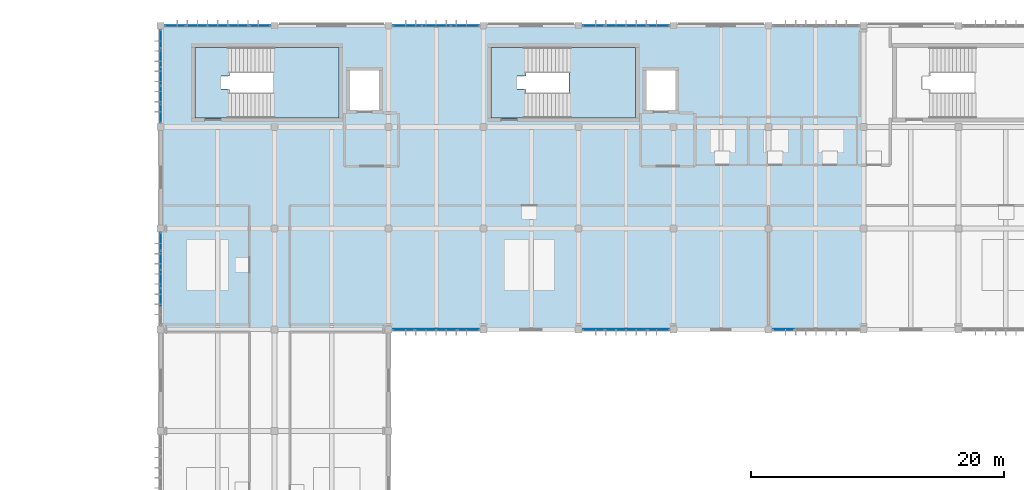
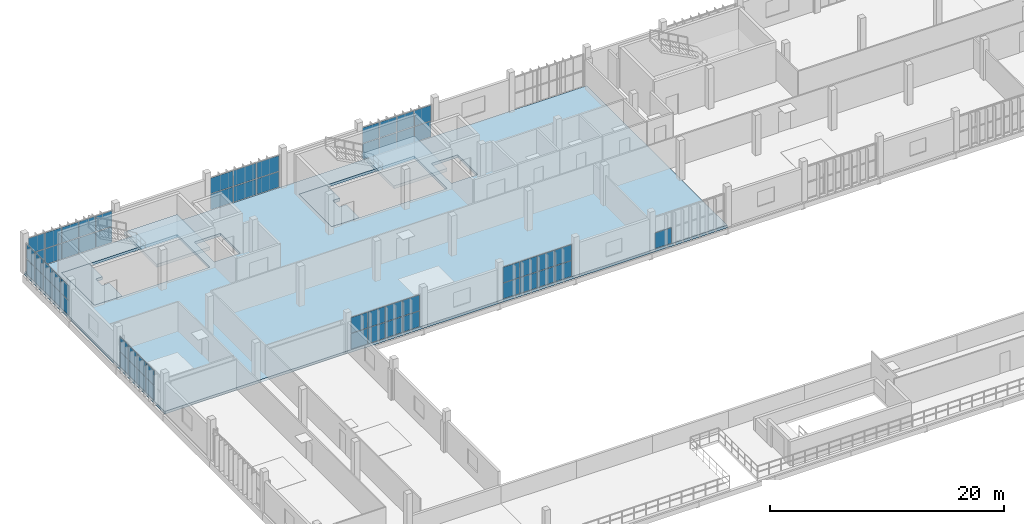
# One storey, part 34 of 61: 59 plates, 5 slabs, 10 elements without a shape of their own.
"""IFC4 building model written with IfcOpenShell, lengths in metres."""

from ifc_helpers import new_model, si_unit, direction, frame, origin, origin_2d, place, context, subcontext, project, spatial, polyline, rectangle, outline, extrude, material, layer, layer_set, type_object, element, aggregate, save


model = new_model("IFC4")

# Units and contexts
model_context = context("Model", 3, precision=1e-05, world=origin(), true_north=direction((0.0, 1.0)))
body_context = subcontext(model_context, "Body", "Model", "MODEL_VIEW")
ifc_project = project(units=[si_unit("LENGTHUNIT", "METRE"), si_unit("AREAUNIT", "SQUARE_METRE"), si_unit("VOLUMEUNIT", "CUBIC_METRE"), si_unit("PLANEANGLEUNIT", "RADIAN"), si_unit("MASSUNIT", "GRAM", prefix="KILO")], contexts=[model_context])

# Site, building, storey
site_placement = place(None, origin())
site = spatial("IfcSite", under=ifc_project, at=site_placement, CompositionType="ELEMENT")
building_placement = place(site_placement, origin())
building = spatial("IfcBuilding", under=site, at=building_placement, Name="Vourika Railside Aquatics Centre", CompositionType="ELEMENT")
storey_placement = place(building_placement, frame((0.0, 0.0, 9.300048828125)))
storey = spatial("IfcBuildingStorey", under=building, at=storey_placement, Name="L02", CompositionType="ELEMENT", Elevation=9.300048828125)

# Curtain wall, plates
ifc_material_1 = material(Name="Anodized thermally broken aluminium", Category="aluminium")
curtain_wall_type = type_object("IfcCurtainWallType", Name="CW-FIT2", PredefinedType="NOTDEFINED", material=ifc_material_1)
curtain_wall_1_placement = place(storey_placement, origin())
curtain_wall_1 = element("IfcCurtainWall", 1, at=curtain_wall_1_placement, inside=storey, type_object=curtain_wall_type, Name="North Boulevard Curtain Wall L02-1", PredefinedType="NOTDEFINED")
ifc_material_2 = material(Name="Low-E solar-control laminated double glazing", Category="glass")
ifc_layer_1 = layer(ifc_material_2, 0.02392578125, Name="CWP-FIT2")
ifc_layer_set_1 = layer_set([ifc_layer_1], Name="Low-E solar-control laminated double glazing")
plate_type = type_object("IfcPlateType", Name="CWP-FIT2", PredefinedType="CURTAIN_PANEL", material=ifc_layer_set_1)
plate_1_placement = place(storey_placement, frame((25.841064453125, 116.0, 0.059814453125), z_axis=(0.0, 0.0, 1.0), x_axis=(-1.0, 0.0, 0.0)))
plate_1 = element("IfcPlate", 2, at=plate_1_placement, type_object=plate_type, Name="CW16 panel 1.1", PredefinedType="CURTAIN_PANEL", context=body_context, shape_type="SweptSolid", body=[
    extrude(rectangle(XDim=1.587890625, YDim=0.02392578125, at=origin_2d()), origin(), (0.0, 0.0, 1.0), 1.6201171875),
])
plate_2_placement = place(storey_placement, frame((25.841064453125, 116.0, 1.739990234375), z_axis=(0.0, 0.0, 1.0), x_axis=(-1.0, 0.0, 0.0)))
plate_2 = element("IfcPlate", 3, at=plate_2_placement, type_object=plate_type, Name="CW16 panel 1.2", PredefinedType="CURTAIN_PANEL", context=body_context, shape_type="SweptSolid", body=[
    extrude(rectangle(XDim=1.587890625, YDim=0.02392578125, at=origin_2d()), origin(), (0.0, 0.0, 1.0), 1.6201171875),
])
plate_3_placement = place(storey_placement, frame((24.177978515625, 116.0, 0.059814453125), z_axis=(0.0, 0.0, 1.0), x_axis=(-1.0, 0.0, 0.0)))
plate_3 = element("IfcPlate", 4, at=plate_3_placement, type_object=plate_type, Name="CW16 panel 2.1", PredefinedType="CURTAIN_PANEL", context=body_context, shape_type="SweptSolid", body=[
    extrude(rectangle(XDim=1.617919921875, YDim=0.02392578125, at=origin_2d()), origin(), (0.0, 0.0, 1.0), 1.6201171875),
])
plate_4_placement = place(storey_placement, frame((24.177978515625, 116.0, 1.739990234375), z_axis=(0.0, 0.0, 1.0), x_axis=(-1.0, 0.0, 0.0)))
plate_4 = element("IfcPlate", 5, at=plate_4_placement, type_object=plate_type, Name="CW16 panel 2.2", PredefinedType="CURTAIN_PANEL", context=body_context, shape_type="SweptSolid", body=[
    extrude(rectangle(XDim=1.617919921875, YDim=0.02392578125, at=origin_2d()), origin(), (0.0, 0.0, 1.0), 1.6201171875),
])
plate_5_placement = place(storey_placement, frame((22.5, 116.0, 0.059814453125), z_axis=(0.0, 0.0, 1.0), x_axis=(-1.0, 0.0, 0.0)))
plate_5 = element("IfcPlate", 6, at=plate_5_placement, type_object=plate_type, Name="CW16 panel 3.1", PredefinedType="CURTAIN_PANEL", context=body_context, shape_type="SweptSolid", body=[
    extrude(rectangle(XDim=1.617919921875, YDim=0.02392578125, at=origin_2d()), origin(), (0.0, 0.0, 1.0), 1.6201171875),
])
plate_6_placement = place(storey_placement, frame((22.5, 116.0, 1.739990234375), z_axis=(0.0, 0.0, 1.0), x_axis=(-1.0, 0.0, 0.0)))
plate_6 = element("IfcPlate", 7, at=plate_6_placement, type_object=plate_type, Name="CW16 panel 3.2", PredefinedType="CURTAIN_PANEL", context=body_context, shape_type="SweptSolid", body=[
    extrude(rectangle(XDim=1.617919921875, YDim=0.02392578125, at=origin_2d()), origin(), (0.0, 0.0, 1.0), 1.6201171875),
])
plate_7_placement = place(storey_placement, frame((20.822021484375, 116.0, 0.059814453125), z_axis=(0.0, 0.0, 1.0), x_axis=(-1.0, 0.0, 0.0)))
plate_7 = element("IfcPlate", 8, at=plate_7_placement, type_object=plate_type, Name="CW16 panel 4.1", PredefinedType="CURTAIN_PANEL", context=body_context, shape_type="SweptSolid", body=[
    extrude(rectangle(XDim=1.617919921875, YDim=0.02392578125, at=origin_2d()), origin(), (0.0, 0.0, 1.0), 1.6201171875),
])
plate_8_placement = place(storey_placement, frame((20.822021484375, 116.0, 1.739990234375), z_axis=(0.0, 0.0, 1.0), x_axis=(-1.0, 0.0, 0.0)))
plate_8 = element("IfcPlate", 9, at=plate_8_placement, type_object=plate_type, Name="CW16 panel 4.2", PredefinedType="CURTAIN_PANEL", context=body_context, shape_type="SweptSolid", body=[
    extrude(rectangle(XDim=1.617919921875, YDim=0.02392578125, at=origin_2d()), origin(), (0.0, 0.0, 1.0), 1.6201171875),
])
plate_9_placement = place(storey_placement, frame((19.158935546875, 116.0, 0.059814453125), z_axis=(0.0, 0.0, 1.0), x_axis=(-1.0, 0.0, 0.0)))
plate_9 = element("IfcPlate", 10, at=plate_9_placement, type_object=plate_type, Name="CW16 panel 5.1", PredefinedType="CURTAIN_PANEL", context=body_context, shape_type="SweptSolid", body=[
    extrude(rectangle(XDim=1.587890625, YDim=0.02392578125, at=origin_2d()), origin(), (0.0, 0.0, 1.0), 1.6201171875),
])
plate_10_placement = place(storey_placement, frame((19.158935546875, 116.0, 1.739990234375), z_axis=(0.0, 0.0, 1.0), x_axis=(-1.0, 0.0, 0.0)))
plate_10 = element("IfcPlate", 11, at=plate_10_placement, type_object=plate_type, Name="CW16 panel 5.2", PredefinedType="CURTAIN_PANEL", context=body_context, shape_type="SweptSolid", body=[
    extrude(rectangle(XDim=1.587890625, YDim=0.02392578125, at=origin_2d()), origin(), (0.0, 0.0, 1.0), 1.6201171875),
])
aggregate(curtain_wall_1, [plate_1, plate_2, plate_3, plate_4, plate_5, plate_6, plate_7, plate_8, plate_9, plate_10])

curtain_wall_2_placement = place(storey_placement, origin())
curtain_wall_2 = element("IfcCurtainWall", 12, at=curtain_wall_2_placement, inside=storey, type_object=curtain_wall_type, Name="North Boulevard Curtain Wall L02-3", PredefinedType="NOTDEFINED")
plate_11_placement = place(storey_placement, frame((42.03173828125, 116.0, 0.059814453125), z_axis=(0.0, 0.0, 1.0), x_axis=(-1.0, 0.0, 0.0)))
plate_11 = element("IfcPlate", 13, at=plate_11_placement, type_object=plate_type, Name="CW16 panel 1.1", PredefinedType="CURTAIN_PANEL", context=body_context, shape_type="SweptSolid", body=[
    extrude(rectangle(XDim=2.206787109375, YDim=0.02392578125, at=origin_2d()), origin(), (0.0, 0.0, 1.0), 1.6201171875),
])
plate_12_placement = place(storey_placement, frame((42.03173828125, 116.0, 1.739990234375), z_axis=(0.0, 0.0, 1.0), x_axis=(-1.0, 0.0, 0.0)))
plate_12 = element("IfcPlate", 14, at=plate_12_placement, type_object=plate_type, Name="CW16 panel 1.2", PredefinedType="CURTAIN_PANEL", context=body_context, shape_type="SweptSolid", body=[
    extrude(rectangle(XDim=2.206787109375, YDim=0.02392578125, at=origin_2d()), origin(), (0.0, 0.0, 1.0), 1.6201171875),
])
plate_13_placement = place(storey_placement, frame((39.75, 116.0, 0.059814453125), z_axis=(0.0, 0.0, 1.0), x_axis=(-1.0, 0.0, 0.0)))
plate_13 = element("IfcPlate", 15, at=plate_13_placement, type_object=plate_type, Name="CW16 panel 2.1", PredefinedType="CURTAIN_PANEL", context=body_context, shape_type="SweptSolid", body=[
    extrude(rectangle(XDim=2.236572265625, YDim=0.02392578125, at=origin_2d()), origin(), (0.0, 0.0, 1.0), 1.6201171875),
])
plate_14_placement = place(storey_placement, frame((39.75, 116.0, 1.739990234375), z_axis=(0.0, 0.0, 1.0), x_axis=(-1.0, 0.0, 0.0)))
plate_14 = element("IfcPlate", 16, at=plate_14_placement, type_object=plate_type, Name="CW16 panel 2.2", PredefinedType="CURTAIN_PANEL", context=body_context, shape_type="SweptSolid", body=[
    extrude(rectangle(XDim=2.236572265625, YDim=0.02392578125, at=origin_2d()), origin(), (0.0, 0.0, 1.0), 1.6201171875),
])
plate_15_placement = place(storey_placement, frame((37.46826171875, 116.0, 0.059814453125), z_axis=(0.0, 0.0, 1.0), x_axis=(-1.0, 0.0, 0.0)))
plate_15 = element("IfcPlate", 17, at=plate_15_placement, type_object=plate_type, Name="CW16 panel 3.1", PredefinedType="CURTAIN_PANEL", context=body_context, shape_type="SweptSolid", body=[
    extrude(rectangle(XDim=2.206787109375, YDim=0.02392578125, at=origin_2d()), origin(), (0.0, 0.0, 1.0), 1.6201171875),
])
plate_16_placement = place(storey_placement, frame((37.46826171875, 116.0, 1.739990234375), z_axis=(0.0, 0.0, 1.0), x_axis=(-1.0, 0.0, 0.0)))
plate_16 = element("IfcPlate", 18, at=plate_16_placement, type_object=plate_type, Name="CW16 panel 3.2", PredefinedType="CURTAIN_PANEL", context=body_context, shape_type="SweptSolid", body=[
    extrude(rectangle(XDim=2.206787109375, YDim=0.02392578125, at=origin_2d()), origin(), (0.0, 0.0, 1.0), 1.6201171875),
])
aggregate(curtain_wall_2, [plate_11, plate_12, plate_13, plate_14, plate_15, plate_16])

curtain_wall_3_placement = place(storey_placement, origin())
curtain_wall_3 = element("IfcCurtainWall", 19, at=curtain_wall_3_placement, inside=storey, type_object=curtain_wall_type, Name="North Boulevard Curtain Wall L02-5", PredefinedType="NOTDEFINED")
plate_17_placement = place(storey_placement, frame((57.31884765625, 116.0, 0.059814453125), z_axis=(0.0, 0.0, 1.0), x_axis=(-1.0, 0.0, 0.0)))
plate_17 = element("IfcPlate", 20, at=plate_17_placement, type_object=plate_type, Name="CW16 panel 1.1", PredefinedType="CURTAIN_PANEL", context=body_context, shape_type="SweptSolid", body=[
    extrude(rectangle(XDim=1.632568359375, YDim=0.02392578125, at=origin_2d()), origin(), (0.0, 0.0, 1.0), 1.6201171875),
])
plate_18_placement = place(storey_placement, frame((57.31884765625, 116.0, 1.739990234375), z_axis=(0.0, 0.0, 1.0), x_axis=(-1.0, 0.0, 0.0)))
plate_18 = element("IfcPlate", 21, at=plate_18_placement, type_object=plate_type, Name="CW16 panel 1.2", PredefinedType="CURTAIN_PANEL", context=body_context, shape_type="SweptSolid", body=[
    extrude(rectangle(XDim=1.632568359375, YDim=0.02392578125, at=origin_2d()), origin(), (0.0, 0.0, 1.0), 1.6201171875),
])
plate_19_placement = place(storey_placement, frame((55.611328125, 116.0, 0.059814453125), z_axis=(0.0, 0.0, 1.0), x_axis=(-1.0, 0.0, 0.0)))
plate_19 = element("IfcPlate", 22, at=plate_19_placement, type_object=plate_type, Name="CW16 panel 2.1", PredefinedType="CURTAIN_PANEL", context=body_context, shape_type="SweptSolid", body=[
    extrude(rectangle(XDim=1.66259765625, YDim=0.02392578125, at=origin_2d()), origin(), (0.0, 0.0, 1.0), 1.6201171875),
])
plate_20_placement = place(storey_placement, frame((55.611328125, 116.0, 1.739990234375), z_axis=(0.0, 0.0, 1.0), x_axis=(-1.0, 0.0, 0.0)))
plate_20 = element("IfcPlate", 23, at=plate_20_placement, type_object=plate_type, Name="CW16 panel 2.2", PredefinedType="CURTAIN_PANEL", context=body_context, shape_type="SweptSolid", body=[
    extrude(rectangle(XDim=1.66259765625, YDim=0.02392578125, at=origin_2d()), origin(), (0.0, 0.0, 1.0), 1.6201171875),
])
plate_21_placement = place(storey_placement, frame((53.888671875, 116.0, 0.059814453125), z_axis=(0.0, 0.0, 1.0), x_axis=(-1.0, 0.0, 0.0)))
plate_21 = element("IfcPlate", 24, at=plate_21_placement, type_object=plate_type, Name="CW16 panel 3.1", PredefinedType="CURTAIN_PANEL", context=body_context, shape_type="SweptSolid", body=[
    extrude(rectangle(XDim=1.66259765625, YDim=0.02392578125, at=origin_2d()), origin(), (0.0, 0.0, 1.0), 1.6201171875),
])
plate_22_placement = place(storey_placement, frame((53.888671875, 116.0, 1.739990234375), z_axis=(0.0, 0.0, 1.0), x_axis=(-1.0, 0.0, 0.0)))
plate_22 = element("IfcPlate", 25, at=plate_22_placement, type_object=plate_type, Name="CW16 panel 3.2", PredefinedType="CURTAIN_PANEL", context=body_context, shape_type="SweptSolid", body=[
    extrude(rectangle(XDim=1.66259765625, YDim=0.02392578125, at=origin_2d()), origin(), (0.0, 0.0, 1.0), 1.6201171875),
])
plate_23_placement = place(storey_placement, frame((52.18115234375, 116.0, 0.059814453125), z_axis=(0.0, 0.0, 1.0), x_axis=(-1.0, 0.0, 0.0)))
plate_23 = element("IfcPlate", 26, at=plate_23_placement, type_object=plate_type, Name="CW16 panel 4.1", PredefinedType="CURTAIN_PANEL", context=body_context, shape_type="SweptSolid", body=[
    extrude(rectangle(XDim=1.632568359375, YDim=0.02392578125, at=origin_2d()), origin(), (0.0, 0.0, 1.0), 1.6201171875),
])
plate_24_placement = place(storey_placement, frame((52.18115234375, 116.0, 1.739990234375), z_axis=(0.0, 0.0, 1.0), x_axis=(-1.0, 0.0, 0.0)))
plate_24 = element("IfcPlate", 27, at=plate_24_placement, type_object=plate_type, Name="CW16 panel 4.2", PredefinedType="CURTAIN_PANEL", context=body_context, shape_type="SweptSolid", body=[
    extrude(rectangle(XDim=1.632568359375, YDim=0.02392578125, at=origin_2d()), origin(), (0.0, 0.0, 1.0), 1.6201171875),
])
aggregate(curtain_wall_3, [plate_17, plate_18, plate_19, plate_20, plate_21, plate_22, plate_23, plate_24])

curtain_wall_4_placement = place(storey_placement, origin())
curtain_wall_4 = element("IfcCurtainWall", 28, at=curtain_wall_4_placement, inside=storey, type_object=curtain_wall_type, Name="Courtyard Fitness Curtain Wall L02-1", PredefinedType="NOTDEFINED")
plate_25_placement = place(storey_placement, frame((37.18115234375, 92.0, 0.059814453125), z_axis=(0.0, 0.0, 1.0), x_axis=(1.0, 0.0, 0.0)))
plate_25 = element("IfcPlate", 29, at=plate_25_placement, type_object=plate_type, Name="CW16 panel 1.1", PredefinedType="CURTAIN_PANEL", context=body_context, shape_type="SweptSolid", body=[
    extrude(rectangle(XDim=1.632568359375, YDim=0.02392578125, at=origin_2d()), origin(), (0.0, 0.0, 1.0), 1.6201171875),
])
plate_26_placement = place(storey_placement, frame((37.18115234375, 92.0, 1.739990234375), z_axis=(0.0, 0.0, 1.0), x_axis=(1.0, 0.0, 0.0)))
plate_26 = element("IfcPlate", 30, at=plate_26_placement, type_object=plate_type, Name="CW16 panel 1.2", PredefinedType="CURTAIN_PANEL", context=body_context, shape_type="SweptSolid", body=[
    extrude(rectangle(XDim=1.632568359375, YDim=0.02392578125, at=origin_2d()), origin(), (0.0, 0.0, 1.0), 1.6201171875),
])
plate_27_placement = place(storey_placement, frame((38.888671875, 92.0, 0.059814453125), z_axis=(0.0, 0.0, 1.0), x_axis=(1.0, 0.0, 0.0)))
plate_27 = element("IfcPlate", 31, at=plate_27_placement, type_object=plate_type, Name="CW16 panel 2.1", PredefinedType="CURTAIN_PANEL", context=body_context, shape_type="SweptSolid", body=[
    extrude(rectangle(XDim=1.66259765625, YDim=0.02392578125, at=origin_2d()), origin(), (0.0, 0.0, 1.0), 1.6201171875),
])
plate_28_placement = place(storey_placement, frame((38.888671875, 92.0, 1.739990234375), z_axis=(0.0, 0.0, 1.0), x_axis=(1.0, 0.0, 0.0)))
plate_28 = element("IfcPlate", 32, at=plate_28_placement, type_object=plate_type, Name="CW16 panel 2.2", PredefinedType="CURTAIN_PANEL", context=body_context, shape_type="SweptSolid", body=[
    extrude(rectangle(XDim=1.66259765625, YDim=0.02392578125, at=origin_2d()), origin(), (0.0, 0.0, 1.0), 1.6201171875),
])
plate_29_placement = place(storey_placement, frame((40.611328125, 92.0, 0.059814453125), z_axis=(0.0, 0.0, 1.0), x_axis=(1.0, 0.0, 0.0)))
plate_29 = element("IfcPlate", 33, at=plate_29_placement, type_object=plate_type, Name="CW16 panel 3.1", PredefinedType="CURTAIN_PANEL", context=body_context, shape_type="SweptSolid", body=[
    extrude(rectangle(XDim=1.66259765625, YDim=0.02392578125, at=origin_2d()), origin(), (0.0, 0.0, 1.0), 1.6201171875),
])
plate_30_placement = place(storey_placement, frame((40.611328125, 92.0, 1.739990234375), z_axis=(0.0, 0.0, 1.0), x_axis=(1.0, 0.0, 0.0)))
plate_30 = element("IfcPlate", 34, at=plate_30_placement, type_object=plate_type, Name="CW16 panel 3.2", PredefinedType="CURTAIN_PANEL", context=body_context, shape_type="SweptSolid", body=[
    extrude(rectangle(XDim=1.66259765625, YDim=0.02392578125, at=origin_2d()), origin(), (0.0, 0.0, 1.0), 1.6201171875),
])
plate_31_placement = place(storey_placement, frame((42.31884765625, 92.0, 0.059814453125), z_axis=(0.0, 0.0, 1.0), x_axis=(1.0, 0.0, 0.0)))
plate_31 = element("IfcPlate", 35, at=plate_31_placement, type_object=plate_type, Name="CW16 panel 4.1", PredefinedType="CURTAIN_PANEL", context=body_context, shape_type="SweptSolid", body=[
    extrude(rectangle(XDim=1.632568359375, YDim=0.02392578125, at=origin_2d()), origin(), (0.0, 0.0, 1.0), 1.6201171875),
])
plate_32_placement = place(storey_placement, frame((42.31884765625, 92.0, 1.739990234375), z_axis=(0.0, 0.0, 1.0), x_axis=(1.0, 0.0, 0.0)))
plate_32 = element("IfcPlate", 36, at=plate_32_placement, type_object=plate_type, Name="CW16 panel 4.2", PredefinedType="CURTAIN_PANEL", context=body_context, shape_type="SweptSolid", body=[
    extrude(rectangle(XDim=1.632568359375, YDim=0.02392578125, at=origin_2d()), origin(), (0.0, 0.0, 1.0), 1.6201171875),
])
aggregate(curtain_wall_4, [plate_25, plate_26, plate_27, plate_28, plate_29, plate_30, plate_31, plate_32])

curtain_wall_5_placement = place(storey_placement, origin())
curtain_wall_5 = element("IfcCurtainWall", 37, at=curtain_wall_5_placement, inside=storey, type_object=curtain_wall_type, Name="Courtyard Fitness Curtain Wall L02-3", PredefinedType="NOTDEFINED")
plate_33_placement = place(storey_placement, frame((52.18115234375, 92.0, 0.059814453125), z_axis=(0.0, 0.0, 1.0), x_axis=(1.0, 0.0, 0.0)))
plate_33 = element("IfcPlate", 38, at=plate_33_placement, type_object=plate_type, Name="CW16 panel 1.1", PredefinedType="CURTAIN_PANEL", context=body_context, shape_type="SweptSolid", body=[
    extrude(rectangle(XDim=1.632568359375, YDim=0.02392578125, at=origin_2d()), origin(), (0.0, 0.0, 1.0), 1.6201171875),
])
plate_34_placement = place(storey_placement, frame((52.18115234375, 92.0, 1.739990234375), z_axis=(0.0, 0.0, 1.0), x_axis=(1.0, 0.0, 0.0)))
plate_34 = element("IfcPlate", 39, at=plate_34_placement, type_object=plate_type, Name="CW16 panel 1.2", PredefinedType="CURTAIN_PANEL", context=body_context, shape_type="SweptSolid", body=[
    extrude(rectangle(XDim=1.632568359375, YDim=0.02392578125, at=origin_2d()), origin(), (0.0, 0.0, 1.0), 1.6201171875),
])
plate_35_placement = place(storey_placement, frame((53.888671875, 92.0, 0.059814453125), z_axis=(0.0, 0.0, 1.0), x_axis=(1.0, 0.0, 0.0)))
plate_35 = element("IfcPlate", 40, at=plate_35_placement, type_object=plate_type, Name="CW16 panel 2.1", PredefinedType="CURTAIN_PANEL", context=body_context, shape_type="SweptSolid", body=[
    extrude(rectangle(XDim=1.66259765625, YDim=0.02392578125, at=origin_2d()), origin(), (0.0, 0.0, 1.0), 1.6201171875),
])
plate_36_placement = place(storey_placement, frame((53.888671875, 92.0, 1.739990234375), z_axis=(0.0, 0.0, 1.0), x_axis=(1.0, 0.0, 0.0)))
plate_36 = element("IfcPlate", 41, at=plate_36_placement, type_object=plate_type, Name="CW16 panel 2.2", PredefinedType="CURTAIN_PANEL", context=body_context, shape_type="SweptSolid", body=[
    extrude(rectangle(XDim=1.66259765625, YDim=0.02392578125, at=origin_2d()), origin(), (0.0, 0.0, 1.0), 1.6201171875),
])
plate_37_placement = place(storey_placement, frame((55.611328125, 92.0, 0.059814453125), z_axis=(0.0, 0.0, 1.0), x_axis=(1.0, 0.0, 0.0)))
plate_37 = element("IfcPlate", 42, at=plate_37_placement, type_object=plate_type, Name="CW16 panel 3.1", PredefinedType="CURTAIN_PANEL", context=body_context, shape_type="SweptSolid", body=[
    extrude(rectangle(XDim=1.66259765625, YDim=0.02392578125, at=origin_2d()), origin(), (0.0, 0.0, 1.0), 1.6201171875),
])
plate_38_placement = place(storey_placement, frame((55.611328125, 92.0, 1.739990234375), z_axis=(0.0, 0.0, 1.0), x_axis=(1.0, 0.0, 0.0)))
plate_38 = element("IfcPlate", 43, at=plate_38_placement, type_object=plate_type, Name="CW16 panel 3.2", PredefinedType="CURTAIN_PANEL", context=body_context, shape_type="SweptSolid", body=[
    extrude(rectangle(XDim=1.66259765625, YDim=0.02392578125, at=origin_2d()), origin(), (0.0, 0.0, 1.0), 1.6201171875),
])
plate_39_placement = place(storey_placement, frame((57.31884765625, 92.0, 0.059814453125), z_axis=(0.0, 0.0, 1.0), x_axis=(1.0, 0.0, 0.0)))
plate_39 = element("IfcPlate", 44, at=plate_39_placement, type_object=plate_type, Name="CW16 panel 4.1", PredefinedType="CURTAIN_PANEL", context=body_context, shape_type="SweptSolid", body=[
    extrude(rectangle(XDim=1.632568359375, YDim=0.02392578125, at=origin_2d()), origin(), (0.0, 0.0, 1.0), 1.6201171875),
])
plate_40_placement = place(storey_placement, frame((57.31884765625, 92.0, 1.739990234375), z_axis=(0.0, 0.0, 1.0), x_axis=(1.0, 0.0, 0.0)))
plate_40 = element("IfcPlate", 45, at=plate_40_placement, type_object=plate_type, Name="CW16 panel 4.2", PredefinedType="CURTAIN_PANEL", context=body_context, shape_type="SweptSolid", body=[
    extrude(rectangle(XDim=1.632568359375, YDim=0.02392578125, at=origin_2d()), origin(), (0.0, 0.0, 1.0), 1.6201171875),
])
aggregate(curtain_wall_5, [plate_33, plate_34, plate_35, plate_36, plate_37, plate_38, plate_39, plate_40])

# Curtain wall, plate
curtain_wall_6_placement = place(storey_placement, origin())
curtain_wall_6 = element("IfcCurtainWall", 46, at=curtain_wall_6_placement, inside=storey, type_object=curtain_wall_type, Name="Courtyard Fitness Curtain Wall L02-5", PredefinedType="NOTDEFINED")
plate_41_placement = place(storey_placement, frame((67.18115234375, 92.0, 0.059814453125), z_axis=(0.0, 0.0, 1.0), x_axis=(1.0, 0.0, 0.0)))
plate_41 = element("IfcPlate", 47, at=plate_41_placement, type_object=plate_type, Name="CW16 panel 1.1", PredefinedType="CURTAIN_PANEL", context=body_context, shape_type="SweptSolid", body=[
    extrude(rectangle(XDim=1.632568359375, YDim=0.02392578125, at=origin_2d()), origin(), (0.0, 0.0, 1.0), 1.6201171875),
])
aggregate(curtain_wall_6, [plate_41])

# Curtain wall, plates
curtain_wall_7_placement = place(storey_placement, origin())
curtain_wall_7 = element("IfcCurtainWall", 48, at=curtain_wall_7_placement, inside=storey, type_object=curtain_wall_type, Name="Fitness West Boulevard Curtain Wall L02-5", PredefinedType="NOTDEFINED")
plate_42_placement = place(storey_placement, frame((18.0, 98.94091796875, 0.06005859375), z_axis=(0.0, 0.0, 1.0), x_axis=(0.0, -1.0, 0.0)))
plate_42 = element("IfcPlate", 49, at=plate_42_placement, type_object=plate_type, Name="CW16 panel 1.1", PredefinedType="CURTAIN_PANEL", context=body_context, shape_type="SweptSolid", body=[
    extrude(rectangle(XDim=1.387939453125, YDim=0.02392578125, at=origin_2d()), origin(), (0.0, 0.0, 1.0), 1.52001953125),
])
plate_43_placement = place(storey_placement, frame((18.0, 98.94091796875, 1.639892578125), z_axis=(0.0, 0.0, 1.0), x_axis=(0.0, -1.0, 0.0)))
plate_43 = element("IfcPlate", 50, at=plate_43_placement, type_object=plate_type, Name="CW16 panel 1.2", PredefinedType="CURTAIN_PANEL", context=body_context, shape_type="SweptSolid", body=[
    extrude(rectangle(XDim=1.387939453125, YDim=0.02392578125, at=origin_2d()), origin(), (0.0, 0.0, 1.0), 1.52001953125),
])
plate_44_placement = place(storey_placement, frame((18.0, 97.47802734375, 0.06005859375), z_axis=(0.0, 0.0, 1.0), x_axis=(0.0, -1.0, 0.0)))
plate_44 = element("IfcPlate", 51, at=plate_44_placement, type_object=plate_type, Name="CW16 panel 2.1", PredefinedType="CURTAIN_PANEL", context=body_context, shape_type="SweptSolid", body=[
    extrude(rectangle(XDim=1.41796875, YDim=0.02392578125, at=origin_2d()), origin(), (0.0, 0.0, 1.0), 1.52001953125),
])
plate_45_placement = place(storey_placement, frame((18.0, 97.47802734375, 1.639892578125), z_axis=(0.0, 0.0, 1.0), x_axis=(0.0, -1.0, 0.0)))
plate_45 = element("IfcPlate", 52, at=plate_45_placement, type_object=plate_type, Name="CW16 panel 2.2", PredefinedType="CURTAIN_PANEL", context=body_context, shape_type="SweptSolid", body=[
    extrude(rectangle(XDim=1.41796875, YDim=0.02392578125, at=origin_2d()), origin(), (0.0, 0.0, 1.0), 1.52001953125),
])
plate_46_placement = place(storey_placement, frame((18.0, 96.0, 0.06005859375), z_axis=(0.0, 0.0, 1.0), x_axis=(0.0, -1.0, 0.0)))
plate_46 = element("IfcPlate", 53, at=plate_46_placement, type_object=plate_type, Name="CW16 panel 3.1", PredefinedType="CURTAIN_PANEL", context=body_context, shape_type="SweptSolid", body=[
    extrude(rectangle(XDim=1.41796875, YDim=0.02392578125, at=origin_2d()), origin(), (0.0, 0.0, 1.0), 1.52001953125),
])
plate_47_placement = place(storey_placement, frame((18.0, 96.0, 1.639892578125), z_axis=(0.0, 0.0, 1.0), x_axis=(0.0, -1.0, 0.0)))
plate_47 = element("IfcPlate", 54, at=plate_47_placement, type_object=plate_type, Name="CW16 panel 3.2", PredefinedType="CURTAIN_PANEL", context=body_context, shape_type="SweptSolid", body=[
    extrude(rectangle(XDim=1.41796875, YDim=0.02392578125, at=origin_2d()), origin(), (0.0, 0.0, 1.0), 1.52001953125),
])
plate_48_placement = place(storey_placement, frame((18.0, 94.52197265625, 0.06005859375), z_axis=(0.0, 0.0, 1.0), x_axis=(0.0, -1.0, 0.0)))
plate_48 = element("IfcPlate", 55, at=plate_48_placement, type_object=plate_type, Name="CW16 panel 4.1", PredefinedType="CURTAIN_PANEL", context=body_context, shape_type="SweptSolid", body=[
    extrude(rectangle(XDim=1.41796875, YDim=0.02392578125, at=origin_2d()), origin(), (0.0, 0.0, 1.0), 1.52001953125),
])
plate_49_placement = place(storey_placement, frame((18.0, 94.52197265625, 1.639892578125), z_axis=(0.0, 0.0, 1.0), x_axis=(0.0, -1.0, 0.0)))
plate_49 = element("IfcPlate", 56, at=plate_49_placement, type_object=plate_type, Name="CW16 panel 4.2", PredefinedType="CURTAIN_PANEL", context=body_context, shape_type="SweptSolid", body=[
    extrude(rectangle(XDim=1.41796875, YDim=0.02392578125, at=origin_2d()), origin(), (0.0, 0.0, 1.0), 1.52001953125),
])
aggregate(curtain_wall_7, [plate_42, plate_43, plate_44, plate_45, plate_46, plate_47, plate_48, plate_49])

curtain_wall_8_placement = place(storey_placement, origin())
curtain_wall_8 = element("IfcCurtainWall", 57, at=curtain_wall_8_placement, inside=storey, type_object=curtain_wall_type, Name="Fitness West Boulevard Curtain Wall L02-7", PredefinedType="NOTDEFINED")
plate_50_placement = place(storey_placement, frame((18.0, 114.94091796875, 0.06005859375), z_axis=(0.0, 0.0, 1.0), x_axis=(0.0, -1.0, 0.0)))
plate_50 = element("IfcPlate", 58, at=plate_50_placement, type_object=plate_type, Name="CW16 panel 1.1", PredefinedType="CURTAIN_PANEL", context=body_context, shape_type="SweptSolid", body=[
    extrude(rectangle(XDim=1.387939453125, YDim=0.02392578125, at=origin_2d()), origin(), (0.0, 0.0, 1.0), 1.52001953125),
])
plate_51_placement = place(storey_placement, frame((18.0, 114.94091796875, 1.639892578125), z_axis=(0.0, 0.0, 1.0), x_axis=(0.0, -1.0, 0.0)))
plate_51 = element("IfcPlate", 59, at=plate_51_placement, type_object=plate_type, Name="CW16 panel 1.2", PredefinedType="CURTAIN_PANEL", context=body_context, shape_type="SweptSolid", body=[
    extrude(rectangle(XDim=1.387939453125, YDim=0.02392578125, at=origin_2d()), origin(), (0.0, 0.0, 1.0), 1.52001953125),
])
plate_52_placement = place(storey_placement, frame((18.0, 113.47802734375, 0.06005859375), z_axis=(0.0, 0.0, 1.0), x_axis=(0.0, -1.0, 0.0)))
plate_52 = element("IfcPlate", 60, at=plate_52_placement, type_object=plate_type, Name="CW16 panel 2.1", PredefinedType="CURTAIN_PANEL", context=body_context, shape_type="SweptSolid", body=[
    extrude(rectangle(XDim=1.41796875, YDim=0.02392578125, at=origin_2d()), origin(), (0.0, 0.0, 1.0), 1.52001953125),
])
plate_53_placement = place(storey_placement, frame((18.0, 113.47802734375, 1.639892578125), z_axis=(0.0, 0.0, 1.0), x_axis=(0.0, -1.0, 0.0)))
plate_53 = element("IfcPlate", 61, at=plate_53_placement, type_object=plate_type, Name="CW16 panel 2.2", PredefinedType="CURTAIN_PANEL", context=body_context, shape_type="SweptSolid", body=[
    extrude(rectangle(XDim=1.41796875, YDim=0.02392578125, at=origin_2d()), origin(), (0.0, 0.0, 1.0), 1.52001953125),
])
plate_54_placement = place(storey_placement, frame((18.0, 112.0, 0.06005859375), z_axis=(0.0, 0.0, 1.0), x_axis=(0.0, -1.0, 0.0)))
plate_54 = element("IfcPlate", 62, at=plate_54_placement, type_object=plate_type, Name="CW16 panel 3.1", PredefinedType="CURTAIN_PANEL", context=body_context, shape_type="SweptSolid", body=[
    extrude(rectangle(XDim=1.41796875, YDim=0.02392578125, at=origin_2d()), origin(), (0.0, 0.0, 1.0), 1.52001953125),
])
plate_55_placement = place(storey_placement, frame((18.0, 112.0, 1.639892578125), z_axis=(0.0, 0.0, 1.0), x_axis=(0.0, -1.0, 0.0)))
plate_55 = element("IfcPlate", 63, at=plate_55_placement, type_object=plate_type, Name="CW16 panel 3.2", PredefinedType="CURTAIN_PANEL", context=body_context, shape_type="SweptSolid", body=[
    extrude(rectangle(XDim=1.41796875, YDim=0.02392578125, at=origin_2d()), origin(), (0.0, 0.0, 1.0), 1.52001953125),
])
plate_56_placement = place(storey_placement, frame((18.0, 110.52197265625, 0.06005859375), z_axis=(0.0, 0.0, 1.0), x_axis=(0.0, -1.0, 0.0)))
plate_56 = element("IfcPlate", 64, at=plate_56_placement, type_object=plate_type, Name="CW16 panel 4.1", PredefinedType="CURTAIN_PANEL", context=body_context, shape_type="SweptSolid", body=[
    extrude(rectangle(XDim=1.41796875, YDim=0.02392578125, at=origin_2d()), origin(), (0.0, 0.0, 1.0), 1.52001953125),
])
plate_57_placement = place(storey_placement, frame((18.0, 110.52197265625, 1.639892578125), z_axis=(0.0, 0.0, 1.0), x_axis=(0.0, -1.0, 0.0)))
plate_57 = element("IfcPlate", 65, at=plate_57_placement, type_object=plate_type, Name="CW16 panel 4.2", PredefinedType="CURTAIN_PANEL", context=body_context, shape_type="SweptSolid", body=[
    extrude(rectangle(XDim=1.41796875, YDim=0.02392578125, at=origin_2d()), origin(), (0.0, 0.0, 1.0), 1.52001953125),
])
plate_58_placement = place(storey_placement, frame((18.0, 109.05908203125, 0.06005859375), z_axis=(0.0, 0.0, 1.0), x_axis=(0.0, -1.0, 0.0)))
plate_58 = element("IfcPlate", 66, at=plate_58_placement, type_object=plate_type, Name="CW16 panel 5.1", PredefinedType="CURTAIN_PANEL", context=body_context, shape_type="SweptSolid", body=[
    extrude(rectangle(XDim=1.387939453125, YDim=0.02392578125, at=origin_2d()), origin(), (0.0, 0.0, 1.0), 1.52001953125),
])
plate_59_placement = place(storey_placement, frame((18.0, 109.05908203125, 1.639892578125), z_axis=(0.0, 0.0, 1.0), x_axis=(0.0, -1.0, 0.0)))
plate_59 = element("IfcPlate", 67, at=plate_59_placement, type_object=plate_type, Name="CW16 panel 5.2", PredefinedType="CURTAIN_PANEL", context=body_context, shape_type="SweptSolid", body=[
    extrude(rectangle(XDim=1.387939453125, YDim=0.02392578125, at=origin_2d()), origin(), (0.0, 0.0, 1.0), 1.52001953125),
])
aggregate(curtain_wall_8, [plate_50, plate_51, plate_52, plate_53, plate_54, plate_55, plate_56, plate_57, plate_58, plate_59])

# Slabs
ifc_material_3 = material(Name="Concrete C35/45", Category="concrete")
ifc_layer_2 = layer(ifc_material_3, 0.31005859375, Name="SLB-CORE-310")
ifc_layer_set_2 = layer_set([ifc_layer_2], Name="Concrete C35/45")
slab_type_1 = type_object("IfcSlabType", Name="SLB-CORE-310", PredefinedType="FLOOR", material=ifc_layer_set_2)
slab_1_placement = place(storey_placement, frame((0.0, 0.0, -0.31005859375)))
element("IfcSlab", 68, at=slab_1_placement, inside=storey, type_object=slab_type_1, Name="Protected Exit Stair Core ST01 Core Floor Landing (L02)", PredefinedType="FLOOR", context=body_context, shape_type="SweptSolid", body=[
    extrude(outline(polyline([(20.699951171875, 108.699951171875), (23.43994140625, 108.699951171875), (23.43994140625, 110.949951171875), (22.75, 110.949951171875), (22.75, 112.050048828125), (23.43994140625, 112.050048828125), (23.43994140625, 114.300048828125), (20.699951171875, 114.300048828125), (20.699951171875, 108.699951171875)])), origin(), (0.0, 0.0, 1.0), 0.31005859375),
])
slab_2_placement = place(storey_placement, frame((0.0, 0.0, -0.31005859375)))
element("IfcSlab", 69, at=slab_2_placement, inside=storey, type_object=slab_type_1, Name="Protected Exit Stair Core ST02 Core Floor Landing (L02)", PredefinedType="FLOOR", context=body_context, shape_type="SweptSolid", body=[
    extrude(outline(polyline([(44.10009765625, 108.699951171875), (46.840087890625, 108.699951171875), (46.840087890625, 110.949951171875), (46.14990234375, 110.949951171875), (46.14990234375, 112.050048828125), (46.840087890625, 112.050048828125), (46.840087890625, 114.300048828125), (44.10009765625, 114.300048828125), (44.10009765625, 108.699951171875)])), origin(), (0.0, 0.0, 1.0), 0.31005859375),
])
ifc_layer_3 = layer(ifc_material_3, 0.280029296875, Name="SLB-FLOOR-280")
ifc_layer_set_3 = layer_set([ifc_layer_3], Name="Concrete C35/45")
slab_type_2 = type_object("IfcSlabType", Name="SLB-FLOOR-280", PredefinedType="FLOOR", material=ifc_layer_set_3)
slab_3_placement = place(storey_placement, frame((0.0, 0.0, -0.280029296875)))
element("IfcSlab", 70, at=slab_3_placement, inside=storey, type_object=slab_type_2, Name="L02 Floor Slab (v5_lab_w)", PredefinedType="FLOOR", context=body_context, shape_type="SweptSolid", body=[
    extrude(outline(polyline([(18.0, 92.0), (18.0, 116.0), (73.5, 116.0), (73.5, 92.0), (18.0, 92.0)]), holes=[polyline([(32.800048828125, 112.60009765625), (32.800048828125, 109.199951171875), (35.39990234375, 109.199951171875), (35.39990234375, 112.60009765625), (32.800048828125, 112.60009765625)]), polyline([(58.800048828125, 112.60009765625), (56.199951171875, 112.60009765625), (56.199951171875, 109.199951171875), (58.800048828125, 109.199951171875), (58.800048828125, 112.60009765625)]), polyline([(32.10009765625, 114.300048828125), (20.699951171875, 114.300048828125), (20.699951171875, 108.699951171875), (32.10009765625, 108.699951171875), (32.10009765625, 114.300048828125)]), polyline([(44.10009765625, 114.300048828125), (44.10009765625, 108.699951171875), (55.5, 108.699951171875), (55.5, 114.300048828125), (44.10009765625, 114.300048828125)])]), origin(), (0.0, 0.0, 1.0), 0.280029296875),
])

# Stair, slab
stair_type = type_object("IfcStairType", Name="STR-CORE-L02", PredefinedType="TWO_STRAIGHT_RUN_STAIR", material=ifc_material_3)
stair_1_placement = place(storey_placement, origin())
stair_1 = element("IfcStair", 71, at=stair_1_placement, inside=storey, type_object=stair_type, Name="Protected Exit Stair Core ST01 (L02)", PredefinedType="TWO_STRAIGHT_RUN_STAIR")
ifc_layer_4 = layer(ifc_material_3, 0.31005859375, Name="SLB-LND-310")
ifc_layer_set_4 = layer_set([ifc_layer_4], Name="Concrete C35/45")
slab_type_3 = type_object("IfcSlabType", Name="SLB-LND-310", PredefinedType="LANDING", material=ifc_layer_set_4)
slab_4_placement = place(storey_placement, frame((0.0, 0.0, 1.7900390625)))
slab_4 = element("IfcSlab", 72, at=slab_4_placement, type_object=slab_type_3, Name="STC-L02 landing 1", PredefinedType="LANDING", context=body_context, shape_type="SweptSolid", body=[
    extrude(outline(polyline([(26.85595703125, 108.699951171875), (32.10009765625, 108.699951171875), (32.10009765625, 114.300048828125), (26.85595703125, 114.300048828125), (26.85595703125, 108.699951171875)])), origin(), (0.0, 0.0, 1.0), 0.309814453125),
])
aggregate(stair_1, [slab_4])

stair_2_placement = place(storey_placement, origin())
stair_2 = element("IfcStair", 73, at=stair_2_placement, inside=storey, type_object=stair_type, Name="Protected Exit Stair Core ST02 (L02)", PredefinedType="TWO_STRAIGHT_RUN_STAIR")
slab_5_placement = place(storey_placement, frame((0.0, 0.0, 1.7900390625)))
slab_5 = element("IfcSlab", 74, at=slab_5_placement, type_object=slab_type_3, Name="STC-L02 landing 1", PredefinedType="LANDING", context=body_context, shape_type="SweptSolid", body=[
    extrude(outline(polyline([(50.256103515625, 108.699951171875), (55.5, 108.699951171875), (55.5, 114.300048828125), (50.256103515625, 114.300048828125), (50.256103515625, 108.699951171875)])), origin(), (0.0, 0.0, 1.0), 0.309814453125),
])
aggregate(stair_2, [slab_5])

save(model, "model.ifc")
